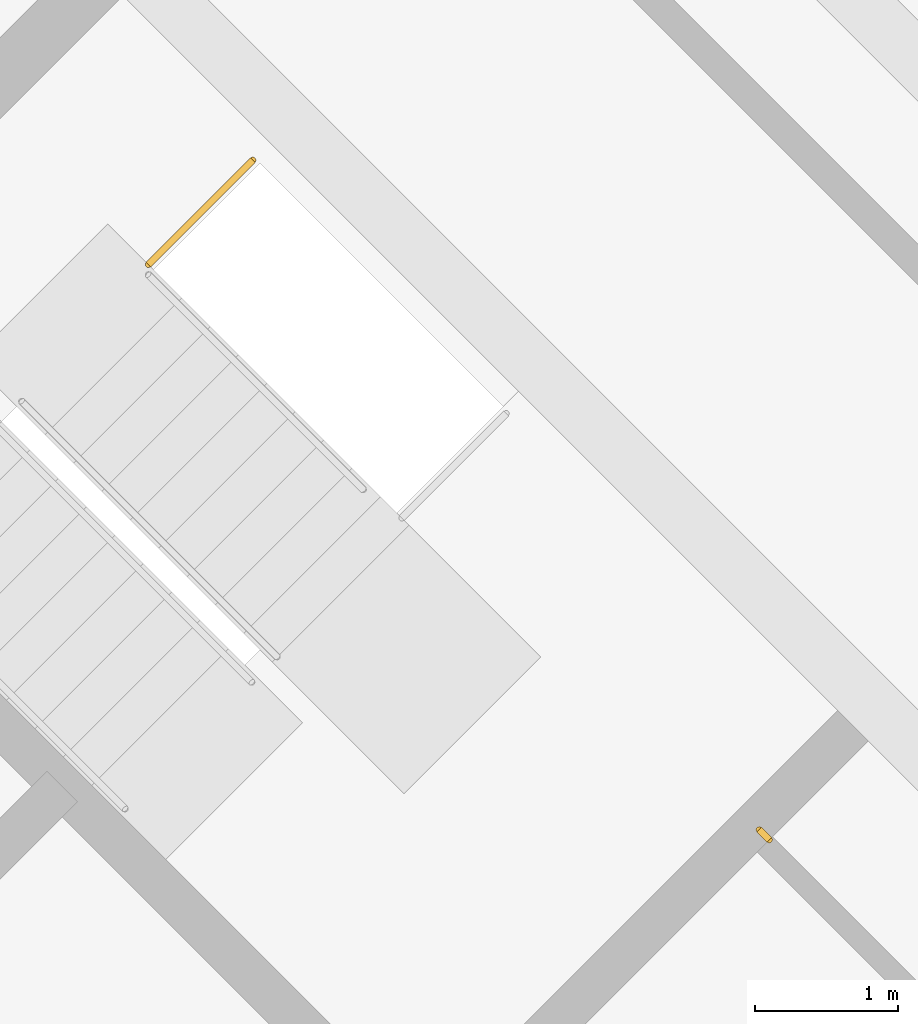
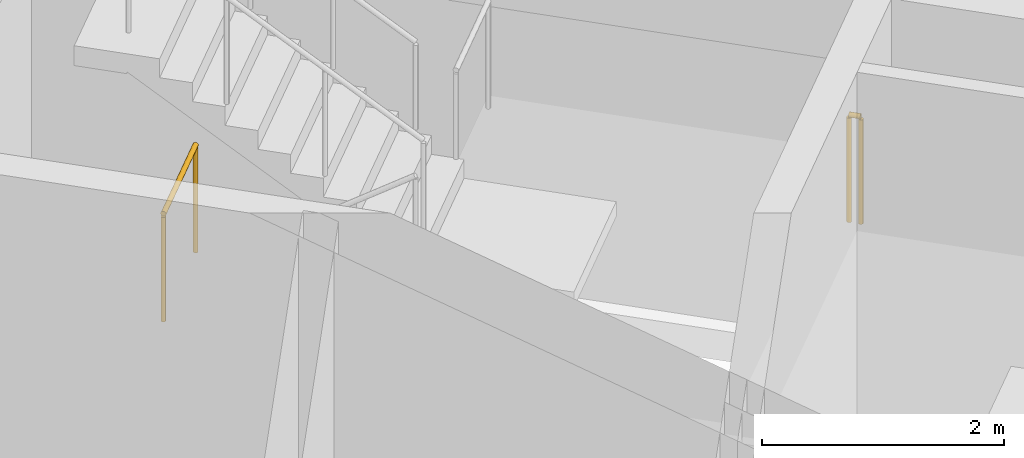
# One storey, part 12 of 13: 2 railings.
"""IFC4 building model written with IfcOpenShell, lengths in metres."""

from ifc_helpers import new_model, si_unit, direction, frame, origin, origin_2d, place, context, subcontext, project, spatial, circle, extrude, material, type_object, element, save


model = new_model("IFC4")

# Units and contexts
model_context = context("Model", 3, precision=1e-05, world=origin(), true_north=direction((0.0, 1.0)))
body_context = subcontext(model_context, "Body", "Model", "MODEL_VIEW")
ifc_project = project(units=[si_unit("LENGTHUNIT", "METRE"), si_unit("AREAUNIT", "SQUARE_METRE"), si_unit("VOLUMEUNIT", "CUBIC_METRE"), si_unit("PLANEANGLEUNIT", "RADIAN"), si_unit("MASSUNIT", "GRAM", prefix="KILO")], contexts=[model_context])

# Site, building, storey
site_placement = place(None, origin())
site = spatial("IfcSite", under=ifc_project, at=site_placement, CompositionType="ELEMENT")
building_placement = place(site_placement, origin())
building = spatial("IfcBuilding", under=site, at=building_placement, Name="Windrow Commons", CompositionType="ELEMENT")
storey_placement = place(building_placement, frame((0.0, 0.0, 302.0)))
storey = spatial("IfcBuildingStorey", under=building, at=storey_placement, Name="L82", CompositionType="ELEMENT", Elevation=302.0)

# Railings
ifc_material = material(Name="Steel S355", Category="steel")
railing_type = type_object("IfcRailingType", Name="Core stair guard 1100", PredefinedType="GUARDRAIL", material=ifc_material)
railing_1_placement = place(storey_placement, frame((87.0135, 57.3982, 0.0)))
element("IfcRailing", 1, at=railing_1_placement, inside=storey, type_object=railing_type, Name="L82 ST-B1 stair guard 3", PredefinedType="GUARDRAIL", context=body_context, shape_type="SweptSolid", body=[
    extrude(circle(Radius=0.024, at=origin_2d()), frame((0.0, 0.0, 1.076), z_axis=(0.7070582378, 0.7071553212, 0.0), x_axis=(-0.7071553212, 0.7070582378, 0.0)), (0.0, 0.0, 1.0), 1.03),
    extrude(circle(Radius=0.021, at=origin_2d()), origin(), (0.0, 0.0, 1.0), 1.052),
    extrude(circle(Radius=0.021, at=origin_2d()), frame((0.7283, 0.7284, 0.0)), (0.0, 0.0, 1.0), 1.052),
])
railing_2_placement = place(storey_placement, frame((91.3446, 53.3854, 1.9)))
element("IfcRailing", 2, at=railing_2_placement, inside=storey, type_object=railing_type, Name="L82 ST-B2 stair guard 3", PredefinedType="GUARDRAIL", context=body_context, shape_type="SweptSolid", body=[
    extrude(circle(Radius=0.024, at=origin_2d()), frame((0.0, 0.0, 1.076), z_axis=(-0.7076063266, 0.7066068826, 0.0), x_axis=(-0.7066068826, -0.7076063266, 0.0)), (0.0, 0.0, 1.0), 0.1001),
    extrude(circle(Radius=0.021, at=origin_2d()), origin(), (0.0, 0.0, 1.0), 1.052),
    extrude(circle(Radius=0.021, at=origin_2d()), frame((-0.0708, 0.0707, 0.0)), (0.0, 0.0, 1.0), 1.052),
])

save(model, "model.ifc")
